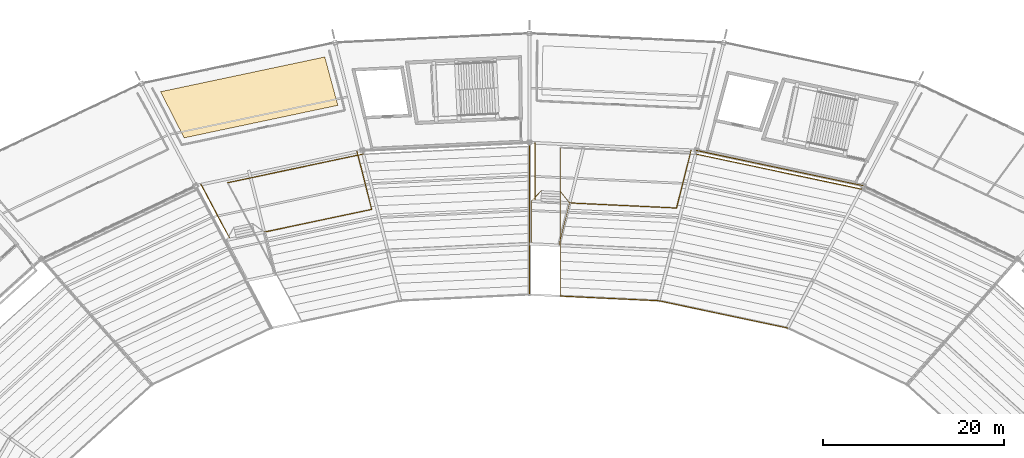
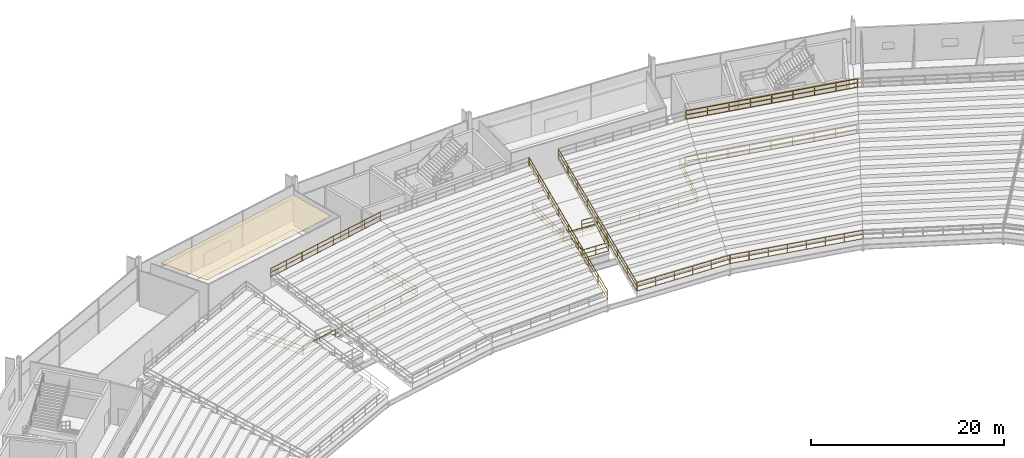
# One storey, part 183 of 186: 10 railings, 1 covering.
"""IFC4 building model written with IfcOpenShell, lengths in metres."""

from ifc_helpers import new_model, si_unit, direction, frame, origin, origin_2d, place, context, subcontext, project, spatial, polyline, rectangle, outline, extrude, material, layer, layer_set, type_object, element, save


model = new_model("IFC4")

# Units and contexts
model_context = context("Model", 3, precision=1e-05, world=origin(), true_north=direction((0.0, 1.0)))
body_context = subcontext(model_context, "Body", "Model", "MODEL_VIEW")
ifc_project = project(units=[si_unit("LENGTHUNIT", "METRE"), si_unit("AREAUNIT", "SQUARE_METRE"), si_unit("VOLUMEUNIT", "CUBIC_METRE"), si_unit("PLANEANGLEUNIT", "RADIAN"), si_unit("MASSUNIT", "GRAM", prefix="KILO")], contexts=[model_context])

# Site, building, storey
site_placement = place(None, origin())
site = spatial("IfcSite", under=ifc_project, at=site_placement, CompositionType="ELEMENT")
building_placement = place(site_placement, origin())
building = spatial("IfcBuilding", under=site, at=building_placement, Name="Kazemori Nagisa Stadium", CompositionType="ELEMENT")
storey_placement = place(building_placement, frame((0.0, 0.0, 20.39990234375)))
storey = spatial("IfcBuildingStorey", under=building, at=storey_placement, Name="L04", CompositionType="ELEMENT", Elevation=20.39990234375)

# Covering
ifc_material_1 = material(Name="Mineral-fibre acoustic board", Category="gypsum")
ifc_layer = layer(ifc_material_1, 0.02001953125, Name="Mineral-fibre acoustic board", Category="gypsum")
ifc_layer_set = layer_set([ifc_layer], Name="Mineral-fibre acoustic board")
covering_type = type_object("IfcCoveringType", Name="Cov_CEIL", PredefinedType="CEILING", material=ifc_layer_set)
covering_placement = place(storey_placement, frame((0.0, 0.0, 4.4501953125)))
element("IfcCovering", 1, at=covering_placement, inside=storey, type_object=covering_type, Name="Acoustic ceiling L04-B09", PredefinedType="CEILING", context=body_context, shape_type="SweptSolid", body=[
    extrude(outline(polyline([(101.864013671875, 180.06591796875), (84.913818359375, 176.47998046875), (82.311279296875, 181.569091796875), (100.419677734375, 185.400146484375), (101.864013671875, 180.06591796875)])), origin(), (0.0, 0.0, 1.0), 0.02001953125),
])

# Railings
ifc_material_2 = material(Name="Laminated safety glass and stainless steel SUS304", Category="steel")
railing_type_1 = type_object("IfcRailingType", Name="Rail_BAL", PredefinedType="BALUSTRADE", material=ifc_material_2)
railing_1_placement = place(storey_placement, frame((159.81201171875, 171.19921875, 0.0)))
element("IfcRailing", 2, at=railing_1_placement, inside=storey, type_object=railing_type_1, Name="Upper concourse balustrade L04-B06", PredefinedType="BALUSTRADE", context=body_context, shape_type="SweptSolid", body=[
    extrude(rectangle(XDim=0.050048828125, YDim=0.050048828125, at=origin_2d()), frame((0.0, 0.0, 1.09521484375), z_axis=(-0.978345149833, 0.206980114499, 0.0), x_axis=(-0.206980114499, -0.978345149833, 0.0)), (0.0, 0.0, 1.0), 18.791259765625),
    extrude(rectangle(XDim=0.03759765625, YDim=0.03759765625, at=origin_2d()), frame((0.0, 0.0, 0.58251953125), z_axis=(-0.978345149833, 0.206980114499, 0.0), x_axis=(-0.206980114499, -0.978345149833, 0.0)), (0.0, 0.0, 1.0), 18.791259765625),
    extrude(rectangle(XDim=0.03759765625, YDim=0.03759765625, at=origin_2d()), frame((0.0, 0.0, 0.02490234375), z_axis=(-0.978345149833, 0.206980114499, 0.0), x_axis=(-0.206980114499, -0.978345149833, 0.0)), (0.0, 0.0, 1.0), 18.791259765625),
    extrude(rectangle(XDim=0.044921875, YDim=0.044921875, at=origin_2d()), origin(), (0.0, 0.0, 1.0), 1.070068359375),
    extrude(rectangle(XDim=0.044921875, YDim=0.044921875, at=origin_2d()), frame((-2.298095703125, 0.486083984375, 0.0)), (0.0, 0.0, 1.0), 1.070068359375),
    extrude(rectangle(XDim=0.044921875, YDim=0.044921875, at=origin_2d()), frame((-4.59619140625, 0.972412109375, 0.0)), (0.0, 0.0, 1.0), 1.070068359375),
    extrude(rectangle(XDim=0.044921875, YDim=0.044921875, at=origin_2d()), frame((-6.89404296875, 1.45849609375, 0.0)), (0.0, 0.0, 1.0), 1.070068359375),
    extrude(rectangle(XDim=0.044921875, YDim=0.044921875, at=origin_2d()), frame((-9.192138671875, 1.94482421875, 0.0)), (0.0, 0.0, 1.0), 1.070068359375),
    extrude(rectangle(XDim=0.044921875, YDim=0.044921875, at=origin_2d()), frame((-11.490234375, 2.430908203125, 0.0)), (0.0, 0.0, 1.0), 1.070068359375),
    extrude(rectangle(XDim=0.044921875, YDim=0.044921875, at=origin_2d()), frame((-13.7880859375, 2.9169921875, 0.0)), (0.0, 0.0, 1.0), 1.070068359375),
    extrude(rectangle(XDim=0.044921875, YDim=0.044921875, at=origin_2d()), frame((-16.086181640625, 3.4033203125, 0.0)), (0.0, 0.0, 1.0), 1.070068359375),
    extrude(rectangle(XDim=0.044921875, YDim=0.044921875, at=origin_2d()), frame((-18.38427734375, 3.889404296875, 0.0)), (0.0, 0.0, 1.0), 1.070068359375),
])
railing_2_placement = place(storey_placement, frame((140.828369140625, 175.116943359375, 0.0)))
element("IfcRailing", 3, at=railing_2_placement, inside=storey, type_object=railing_type_1, Name="Upper vomitory lobby balustrade B07", PredefinedType="BALUSTRADE", context=body_context, shape_type="SweptSolid", body=[
    extrude(rectangle(XDim=0.050048828125, YDim=0.050048828125, at=origin_2d()), frame((0.0, 0.0, 1.09521484375), z_axis=(-0.244457707482, -0.969659955475, 0.0), x_axis=(0.969659955475, -0.244457707482, 0.0)), (0.0, 0.0, 1.0), 6.573486328125),
    extrude(rectangle(XDim=0.03759765625, YDim=0.03759765625, at=origin_2d()), frame((0.0, 0.0, 0.58251953125), z_axis=(-0.244457707482, -0.969659955475, 0.0), x_axis=(0.969659955475, -0.244457707482, 0.0)), (0.0, 0.0, 1.0), 6.573486328125),
    extrude(rectangle(XDim=0.03759765625, YDim=0.03759765625, at=origin_2d()), frame((0.0, 0.0, 0.02490234375), z_axis=(-0.244457707482, -0.969659955475, 0.0), x_axis=(0.969659955475, -0.244457707482, 0.0)), (0.0, 0.0, 1.0), 6.573486328125),
    extrude(rectangle(XDim=0.050048828125, YDim=0.050048828125, at=origin_2d()), frame((-1.60693359375, -6.3740234375, 1.09521484375), z_axis=(-0.998883694415, 0.047237326675, 0.0), x_axis=(-0.047237326675, -0.998883694415, 0.0)), (0.0, 0.0, 1.0), 15.6396484375),
    extrude(rectangle(XDim=0.03759765625, YDim=0.03759765625, at=origin_2d()), frame((-1.60693359375, -6.3740234375, 0.58251953125), z_axis=(-0.998883694415, 0.047237326675, 0.0), x_axis=(-0.047237326675, -0.998883694415, 0.0)), (0.0, 0.0, 1.0), 15.6396484375),
    extrude(rectangle(XDim=0.03759765625, YDim=0.03759765625, at=origin_2d()), frame((-1.60693359375, -6.3740234375, 0.02490234375), z_axis=(-0.998883694415, 0.047237326675, 0.0), x_axis=(-0.047237326675, -0.998883694415, 0.0)), (0.0, 0.0, 1.0), 15.6396484375),
    extrude(rectangle(XDim=0.050048828125, YDim=0.050048828125, at=origin_2d()), frame((-17.22900390625, -5.63525390625, 1.09521484375), z_axis=(0.0, 1.0, 0.0), x_axis=(-1.0, 0.0, 0.0)), (0.0, 0.0, 1.0), 6.449951171875),
    extrude(rectangle(XDim=0.03759765625, YDim=0.03759765625, at=origin_2d()), frame((-17.22900390625, -5.63525390625, 0.58251953125), z_axis=(0.0, 1.0, 0.0), x_axis=(-1.0, 0.0, 0.0)), (0.0, 0.0, 1.0), 6.449951171875),
    extrude(rectangle(XDim=0.03759765625, YDim=0.03759765625, at=origin_2d()), frame((-17.22900390625, -5.63525390625, 0.02490234375), z_axis=(0.0, 1.0, 0.0), x_axis=(-1.0, 0.0, 0.0)), (0.0, 0.0, 1.0), 6.449951171875),
    extrude(rectangle(XDim=0.044921875, YDim=0.044921875, at=origin_2d()), origin(), (0.0, 0.0, 1.0), 1.070068359375),
    extrude(rectangle(XDim=0.044921875, YDim=0.044921875, at=origin_2d()), frame((-0.53564453125, -2.124755859375, 0.0)), (0.0, 0.0, 1.0), 1.070068359375),
    extrude(rectangle(XDim=0.044921875, YDim=0.044921875, at=origin_2d()), frame((-1.0712890625, -4.249267578125, 0.0)), (0.0, 0.0, 1.0), 1.070068359375),
    extrude(rectangle(XDim=0.044921875, YDim=0.044921875, at=origin_2d()), frame((-1.60693359375, -6.3740234375, 0.0)), (0.0, 0.0, 1.0), 1.070068359375),
    extrude(rectangle(XDim=0.044921875, YDim=0.044921875, at=origin_2d()), frame((-3.838623046875, -6.2685546875, 0.0)), (0.0, 0.0, 1.0), 1.070068359375),
    extrude(rectangle(XDim=0.044921875, YDim=0.044921875, at=origin_2d()), frame((-6.0703125, -6.162841796875, 0.0)), (0.0, 0.0, 1.0), 1.070068359375),
    extrude(rectangle(XDim=0.044921875, YDim=0.044921875, at=origin_2d()), frame((-8.302001953125, -6.057373046875, 0.0)), (0.0, 0.0, 1.0), 1.070068359375),
    extrude(rectangle(XDim=0.044921875, YDim=0.044921875, at=origin_2d()), frame((-10.533935546875, -5.951904296875, 0.0)), (0.0, 0.0, 1.0), 1.070068359375),
    extrude(rectangle(XDim=0.044921875, YDim=0.044921875, at=origin_2d()), frame((-12.765625, -5.846435546875, 0.0)), (0.0, 0.0, 1.0), 1.070068359375),
    extrude(rectangle(XDim=0.044921875, YDim=0.044921875, at=origin_2d()), frame((-14.997314453125, -5.74072265625, 0.0)), (0.0, 0.0, 1.0), 1.070068359375),
    extrude(rectangle(XDim=0.044921875, YDim=0.044921875, at=origin_2d()), frame((-17.22900390625, -5.63525390625, 0.0)), (0.0, 0.0, 1.0), 1.070068359375),
    extrude(rectangle(XDim=0.044921875, YDim=0.044921875, at=origin_2d()), frame((-17.22900390625, -3.4853515625, 0.0)), (0.0, 0.0, 1.0), 1.070068359375),
    extrude(rectangle(XDim=0.044921875, YDim=0.044921875, at=origin_2d()), frame((-17.22900390625, -1.335205078125, 0.0)), (0.0, 0.0, 1.0), 1.070068359375),
    extrude(rectangle(XDim=0.044921875, YDim=0.044921875, at=origin_2d()), frame((-17.22900390625, 0.814697265625, 0.0)), (0.0, 0.0, 1.0), 1.070068359375),
])
railing_3_placement = place(storey_placement, frame((103.985107421875, 174.964599609375, 0.0)))
element("IfcRailing", 4, at=railing_3_placement, inside=storey, type_object=railing_type_1, Name="Upper vomitory lobby balustrade B09", PredefinedType="BALUSTRADE", context=body_context, shape_type="SweptSolid", body=[
    extrude(rectangle(XDim=0.050048828125, YDim=0.050048828125, at=origin_2d()), frame((0.0, 0.0, 1.09521484375), z_axis=(0.244492627854, -0.969651151149, 0.0), x_axis=(0.969651151149, 0.244492627854, 0.0)), (0.0, 0.0, 1.0), 6.573486328125),
    extrude(rectangle(XDim=0.03759765625, YDim=0.03759765625, at=origin_2d()), frame((0.0, 0.0, 0.58251953125), z_axis=(0.244492627854, -0.969651151149, 0.0), x_axis=(0.969651151149, 0.244492627854, 0.0)), (0.0, 0.0, 1.0), 6.573486328125),
    extrude(rectangle(XDim=0.03759765625, YDim=0.03759765625, at=origin_2d()), frame((0.0, 0.0, 0.02490234375), z_axis=(0.244492627854, -0.969651151149, 0.0), x_axis=(0.969651151149, 0.244492627854, 0.0)), (0.0, 0.0, 1.0), 6.573486328125),
    extrude(rectangle(XDim=0.050048828125, YDim=0.050048828125, at=origin_2d()), frame((1.607177734375, -6.3740234375, 1.09521484375), z_axis=(-0.978342909106, -0.206990705592, 0.0), x_axis=(0.206990705592, -0.978342909106, 0.0)), (0.0, 0.0, 1.0), 15.952392578125),
    extrude(rectangle(XDim=0.03759765625, YDim=0.03759765625, at=origin_2d()), frame((1.607177734375, -6.3740234375, 0.58251953125), z_axis=(-0.978342909106, -0.206990705592, 0.0), x_axis=(0.206990705592, -0.978342909106, 0.0)), (0.0, 0.0, 1.0), 15.952392578125),
    extrude(rectangle(XDim=0.03759765625, YDim=0.03759765625, at=origin_2d()), frame((1.607177734375, -6.3740234375, 0.02490234375), z_axis=(-0.978342909106, -0.206990705592, 0.0), x_axis=(0.206990705592, -0.978342909106, 0.0)), (0.0, 0.0, 1.0), 15.952392578125),
    extrude(rectangle(XDim=0.050048828125, YDim=0.050048828125, at=origin_2d()), frame((-13.999755859375, -9.676025390625, 1.09521484375), z_axis=(-0.46965739608, 0.882848758456, 0.0), x_axis=(-0.882848758456, -0.46965739608, 0.0)), (0.0, 0.0, 1.0), 6.835693359375),
    extrude(rectangle(XDim=0.03759765625, YDim=0.03759765625, at=origin_2d()), frame((-13.999755859375, -9.676025390625, 0.58251953125), z_axis=(-0.46965739608, 0.882848758456, 0.0), x_axis=(-0.882848758456, -0.46965739608, 0.0)), (0.0, 0.0, 1.0), 6.835693359375),
    extrude(rectangle(XDim=0.03759765625, YDim=0.03759765625, at=origin_2d()), frame((-13.999755859375, -9.676025390625, 0.02490234375), z_axis=(-0.46965739608, 0.882848758456, 0.0), x_axis=(-0.882848758456, -0.46965739608, 0.0)), (0.0, 0.0, 1.0), 6.835693359375),
    extrude(rectangle(XDim=0.044921875, YDim=0.044921875, at=origin_2d()), origin(), (0.0, 0.0, 1.0), 1.070068359375),
    extrude(rectangle(XDim=0.044921875, YDim=0.044921875, at=origin_2d()), frame((0.53564453125, -2.124755859375, 0.0)), (0.0, 0.0, 1.0), 1.070068359375),
    extrude(rectangle(XDim=0.044921875, YDim=0.044921875, at=origin_2d()), frame((1.071533203125, -4.249267578125, 0.0)), (0.0, 0.0, 1.0), 1.070068359375),
    extrude(rectangle(XDim=0.044921875, YDim=0.044921875, at=origin_2d()), frame((1.607177734375, -6.3740234375, 0.0)), (0.0, 0.0, 1.0), 1.070068359375),
    extrude(rectangle(XDim=0.044921875, YDim=0.044921875, at=origin_2d()), frame((-0.622314453125, -6.845703125, 0.0)), (0.0, 0.0, 1.0), 1.070068359375),
    extrude(rectangle(XDim=0.044921875, YDim=0.044921875, at=origin_2d()), frame((-2.85205078125, -7.3173828125, 0.0)), (0.0, 0.0, 1.0), 1.070068359375),
    extrude(rectangle(XDim=0.044921875, YDim=0.044921875, at=origin_2d()), frame((-5.08154296875, -7.7890625, 0.0)), (0.0, 0.0, 1.0), 1.070068359375),
    extrude(rectangle(XDim=0.044921875, YDim=0.044921875, at=origin_2d()), frame((-7.31103515625, -8.260986328125, 0.0)), (0.0, 0.0, 1.0), 1.070068359375),
    extrude(rectangle(XDim=0.044921875, YDim=0.044921875, at=origin_2d()), frame((-9.54052734375, -8.732666015625, 0.0)), (0.0, 0.0, 1.0), 1.070068359375),
    extrude(rectangle(XDim=0.044921875, YDim=0.044921875, at=origin_2d()), frame((-11.770263671875, -9.204345703125, 0.0)), (0.0, 0.0, 1.0), 1.070068359375),
    extrude(rectangle(XDim=0.044921875, YDim=0.044921875, at=origin_2d()), frame((-13.999755859375, -9.676025390625, 0.0)), (0.0, 0.0, 1.0), 1.070068359375),
    extrude(rectangle(XDim=0.044921875, YDim=0.044921875, at=origin_2d()), frame((-15.06982421875, -7.664306640625, 0.0)), (0.0, 0.0, 1.0), 1.070068359375),
    extrude(rectangle(XDim=0.044921875, YDim=0.044921875, at=origin_2d()), frame((-16.14013671875, -5.65283203125, 0.0)), (0.0, 0.0, 1.0), 1.070068359375),
    extrude(rectangle(XDim=0.044921875, YDim=0.044921875, at=origin_2d()), frame((-17.210205078125, -3.64111328125, 0.0)), (0.0, 0.0, 1.0), 1.070068359375),
])
ifc_material_3 = material(Name="Galvanised powder-coated steel", Category="steel")
railing_type_2 = type_object("IfcRailingType", Name="Rail_GUARD", PredefinedType="GUARDRAIL", material=ifc_material_3)
railing_4_placement = place(storey_placement, frame((126.418212890625, 170.559814453125, 0.0)))
element("IfcRailing", 5, at=railing_4_placement, inside=storey, type_object=railing_type_2, Name="Vomitory upper portal guard VU03", PredefinedType="GUARDRAIL", context=body_context, shape_type="SweptSolid", body=[
    extrude(rectangle(XDim=0.050048828125, YDim=0.050048828125, at=origin_2d()), frame((0.0, 0.0, 1.09521484375), z_axis=(0.548080365037, -0.685532486659, 0.479221371806), x_axis=(0.781060863621, 0.624454904152, 0.0)), (0.0, 0.0, 1.0), 1.836669921875),
    extrude(rectangle(XDim=0.03759765625, YDim=0.03759765625, at=origin_2d()), frame((0.0, 0.0, 0.58251953125), z_axis=(0.548080365037, -0.685532486659, 0.479221371806), x_axis=(0.781060863621, 0.624454904152, 0.0)), (0.0, 0.0, 1.0), 1.836669921875),
    extrude(rectangle(XDim=0.03759765625, YDim=0.03759765625, at=origin_2d()), frame((0.0, 0.0, 0.02490234375), z_axis=(0.548080365037, -0.685532486659, 0.479221371806), x_axis=(0.781060863621, 0.624454904152, 0.0)), (0.0, 0.0, 1.0), 1.836669921875),
    extrude(rectangle(XDim=0.050048828125, YDim=0.050048828125, at=origin_2d()), frame((1.006591796875, -1.259033203125, 1.97509765625), z_axis=(-0.244465630583, -0.969657957975, 0.0), x_axis=(0.969657957975, -0.244465630583, 0.0)), (0.0, 0.0, 1.0), 4.820556640625),
    extrude(rectangle(XDim=0.03759765625, YDim=0.03759765625, at=origin_2d()), frame((1.006591796875, -1.259033203125, 1.462646484375), z_axis=(-0.244465630583, -0.969657957975, 0.0), x_axis=(0.969657957975, -0.244465630583, 0.0)), (0.0, 0.0, 1.0), 4.820556640625),
    extrude(rectangle(XDim=0.03759765625, YDim=0.03759765625, at=origin_2d()), frame((1.006591796875, -1.259033203125, 0.9052734375), z_axis=(-0.244465630583, -0.969657957975, 0.0), x_axis=(0.969657957975, -0.244465630583, 0.0)), (0.0, 0.0, 1.0), 4.820556640625),
    extrude(rectangle(XDim=0.050048828125, YDim=0.050048828125, at=origin_2d()), frame((-0.171875, -5.933349609375, 1.97509765625), z_axis=(-0.998884198079, 0.047226674963, 0.0), x_axis=(-0.047226674963, -0.998884198079, 0.0)), (0.0, 0.0, 1.0), 3.050048828125),
    extrude(rectangle(XDim=0.03759765625, YDim=0.03759765625, at=origin_2d()), frame((-0.171875, -5.933349609375, 1.462646484375), z_axis=(-0.998884198079, 0.047226674963, 0.0), x_axis=(-0.047226674963, -0.998884198079, 0.0)), (0.0, 0.0, 1.0), 3.050048828125),
    extrude(rectangle(XDim=0.03759765625, YDim=0.03759765625, at=origin_2d()), frame((-0.171875, -5.933349609375, 0.9052734375), z_axis=(-0.998884198079, 0.047226674963, 0.0), x_axis=(-0.047226674963, -0.998884198079, 0.0)), (0.0, 0.0, 1.0), 3.050048828125),
    extrude(rectangle(XDim=0.050048828125, YDim=0.050048828125, at=origin_2d()), frame((-3.218505859375, -5.789306640625, 1.97509765625), z_axis=(0.0, 1.0, 0.0), x_axis=(-1.0, 0.0, 0.0)), (0.0, 0.0, 1.0), 4.72998046875),
    extrude(rectangle(XDim=0.03759765625, YDim=0.03759765625, at=origin_2d()), frame((-3.218505859375, -5.789306640625, 1.462646484375), z_axis=(0.0, 1.0, 0.0), x_axis=(-1.0, 0.0, 0.0)), (0.0, 0.0, 1.0), 4.72998046875),
    extrude(rectangle(XDim=0.03759765625, YDim=0.03759765625, at=origin_2d()), frame((-3.218505859375, -5.789306640625, 0.9052734375), z_axis=(0.0, 1.0, 0.0), x_axis=(-1.0, 0.0, 0.0)), (0.0, 0.0, 1.0), 4.72998046875),
    extrude(rectangle(XDim=0.050048828125, YDim=0.050048828125, at=origin_2d()), frame((-3.218505859375, -1.059326171875, 1.97509765625), z_axis=(0.610300674846, 0.630772533684, -0.479227604622), x_axis=(-0.718672943699, 0.695348258066, 0.0)), (0.0, 0.0, 1.0), 1.836669921875),
    extrude(rectangle(XDim=0.03759765625, YDim=0.03759765625, at=origin_2d()), frame((-3.218505859375, -1.059326171875, 1.462646484375), z_axis=(0.610300674846, 0.630772533684, -0.479227604622), x_axis=(-0.718672943699, 0.695348258066, 0.0)), (0.0, 0.0, 1.0), 1.836669921875),
    extrude(rectangle(XDim=0.03759765625, YDim=0.03759765625, at=origin_2d()), frame((-3.218505859375, -1.059326171875, 0.9052734375), z_axis=(0.610300674846, 0.630772533684, -0.479227604622), x_axis=(-0.718672943699, 0.695348258066, 0.0)), (0.0, 0.0, 1.0), 1.836669921875),
    extrude(rectangle(XDim=0.044921875, YDim=0.044921875, at=origin_2d()), origin(), (0.0, 0.0, 1.0), 1.070068359375),
    extrude(rectangle(XDim=0.044921875, YDim=0.044921875, at=origin_2d()), frame((1.006591796875, -1.259033203125, 0.880126953125)), (0.0, 0.0, 1.0), 1.070068359375),
    extrude(rectangle(XDim=0.044921875, YDim=0.044921875, at=origin_2d()), frame((0.61376953125, -2.817138671875, 0.880126953125)), (0.0, 0.0, 1.0), 1.070068359375),
    extrude(rectangle(XDim=0.044921875, YDim=0.044921875, at=origin_2d()), frame((0.220947265625, -4.375244140625, 0.880126953125)), (0.0, 0.0, 1.0), 1.070068359375),
    extrude(rectangle(XDim=0.044921875, YDim=0.044921875, at=origin_2d()), frame((-0.171875, -5.933349609375, 0.880126953125)), (0.0, 0.0, 1.0), 1.070068359375),
    extrude(rectangle(XDim=0.044921875, YDim=0.044921875, at=origin_2d()), frame((-1.6953125, -5.861328125, 0.880126953125)), (0.0, 0.0, 1.0), 1.070068359375),
    extrude(rectangle(XDim=0.044921875, YDim=0.044921875, at=origin_2d()), frame((-3.218505859375, -5.789306640625, 0.880126953125)), (0.0, 0.0, 1.0), 1.070068359375),
    extrude(rectangle(XDim=0.044921875, YDim=0.044921875, at=origin_2d()), frame((-3.218505859375, -3.42431640625, 0.880126953125)), (0.0, 0.0, 1.0), 1.070068359375),
    extrude(rectangle(XDim=0.044921875, YDim=0.044921875, at=origin_2d()), frame((-3.218505859375, -1.059326171875, 0.880126953125)), (0.0, 0.0, 1.0), 1.070068359375),
    extrude(rectangle(XDim=0.044921875, YDim=0.044921875, at=origin_2d()), frame((-2.09765625, 0.09912109375, 0.0)), (0.0, 0.0, 1.0), 1.070068359375),
])
railing_5_placement = place(storey_placement, frame((151.465087890625, 155.5087890625, -0.8798828125)))
element("IfcRailing", 6, at=railing_5_placement, inside=storey, type_object=railing_type_2, Name="Upper tier front crowd barrier B06", PredefinedType="GUARDRAIL", context=body_context, shape_type="SweptSolid", body=[
    extrude(rectangle(XDim=0.050048828125, YDim=0.050048828125, at=origin_2d()), frame((0.0, 0.0, 1.09521484375), z_axis=(-0.978343749073, 0.206986735446, 0.0), x_axis=(-0.206986735446, -0.978343749073, 0.0)), (0.0, 0.0, 1.0), 14.5302734375),
    extrude(rectangle(XDim=0.03759765625, YDim=0.03759765625, at=origin_2d()), frame((0.0, 0.0, 0.58251953125), z_axis=(-0.978343749073, 0.206986735446, 0.0), x_axis=(-0.206986735446, -0.978343749073, 0.0)), (0.0, 0.0, 1.0), 14.5302734375),
    extrude(rectangle(XDim=0.03759765625, YDim=0.03759765625, at=origin_2d()), frame((0.0, 0.0, 0.02490234375), z_axis=(-0.978343749073, 0.206986735446, 0.0), x_axis=(-0.206986735446, -0.978343749073, 0.0)), (0.0, 0.0, 1.0), 14.5302734375),
    extrude(rectangle(XDim=0.044921875, YDim=0.044921875, at=origin_2d()), origin(), (0.0, 0.0, 1.0), 1.070068359375),
    extrude(rectangle(XDim=0.044921875, YDim=0.044921875, at=origin_2d()), frame((-2.03076171875, 0.4296875, 0.0)), (0.0, 0.0, 1.0), 1.070068359375),
    extrude(rectangle(XDim=0.044921875, YDim=0.044921875, at=origin_2d()), frame((-4.0615234375, 0.859375, 0.0)), (0.0, 0.0, 1.0), 1.070068359375),
    extrude(rectangle(XDim=0.044921875, YDim=0.044921875, at=origin_2d()), frame((-6.09228515625, 1.2890625, 0.0)), (0.0, 0.0, 1.0), 1.070068359375),
    extrude(rectangle(XDim=0.044921875, YDim=0.044921875, at=origin_2d()), frame((-8.123291015625, 1.718505859375, 0.0)), (0.0, 0.0, 1.0), 1.070068359375),
    extrude(rectangle(XDim=0.044921875, YDim=0.044921875, at=origin_2d()), frame((-10.154052734375, 2.148193359375, 0.0)), (0.0, 0.0, 1.0), 1.070068359375),
    extrude(rectangle(XDim=0.044921875, YDim=0.044921875, at=origin_2d()), frame((-12.184814453125, 2.577880859375, 0.0)), (0.0, 0.0, 1.0), 1.070068359375),
    extrude(rectangle(XDim=0.044921875, YDim=0.044921875, at=origin_2d()), frame((-14.215576171875, 3.007568359375, 0.0)), (0.0, 0.0, 1.0), 1.070068359375),
])
railing_6_placement = place(storey_placement, frame((159.615234375, 170.8291015625, 6.16015625)))
element("IfcRailing", 7, at=railing_6_placement, inside=storey, type_object=railing_type_2, Name="Upper tier rear guard B06", PredefinedType="GUARDRAIL", context=body_context, shape_type="SweptSolid", body=[
    extrude(rectangle(XDim=0.050048828125, YDim=0.050048828125, at=origin_2d()), frame((0.0, 0.0, 1.09521484375), z_axis=(-0.978344464061, 0.206983355953, 0.0), x_axis=(-0.206983355953, -0.978344464061, 0.0)), (0.0, 0.0, 1.0), 18.690673828125),
    extrude(rectangle(XDim=0.03759765625, YDim=0.03759765625, at=origin_2d()), frame((0.0, 0.0, 0.58251953125), z_axis=(-0.978344464061, 0.206983355953, 0.0), x_axis=(-0.206983355953, -0.978344464061, 0.0)), (0.0, 0.0, 1.0), 18.690673828125),
    extrude(rectangle(XDim=0.03759765625, YDim=0.03759765625, at=origin_2d()), frame((0.0, 0.0, 0.02490234375), z_axis=(-0.978344464061, 0.206983355953, 0.0), x_axis=(-0.206983355953, -0.978344464061, 0.0)), (0.0, 0.0, 1.0), 18.690673828125),
    extrude(rectangle(XDim=0.044921875, YDim=0.044921875, at=origin_2d()), origin(), (0.0, 0.0, 1.0), 1.070068359375),
    extrude(rectangle(XDim=0.044921875, YDim=0.044921875, at=origin_2d()), frame((-2.28564453125, 0.483642578125, 0.0)), (0.0, 0.0, 1.0), 1.070068359375),
    extrude(rectangle(XDim=0.044921875, YDim=0.044921875, at=origin_2d()), frame((-4.571533203125, 0.96728515625, 0.0)), (0.0, 0.0, 1.0), 1.070068359375),
    extrude(rectangle(XDim=0.044921875, YDim=0.044921875, at=origin_2d()), frame((-6.857177734375, 1.45068359375, 0.0)), (0.0, 0.0, 1.0), 1.070068359375),
    extrude(rectangle(XDim=0.044921875, YDim=0.044921875, at=origin_2d()), frame((-9.14306640625, 1.934326171875, 0.0)), (0.0, 0.0, 1.0), 1.070068359375),
    extrude(rectangle(XDim=0.044921875, YDim=0.044921875, at=origin_2d()), frame((-11.4287109375, 2.41796875, 0.0)), (0.0, 0.0, 1.0), 1.070068359375),
    extrude(rectangle(XDim=0.044921875, YDim=0.044921875, at=origin_2d()), frame((-13.71435546875, 2.9013671875, 0.0)), (0.0, 0.0, 1.0), 1.070068359375),
    extrude(rectangle(XDim=0.044921875, YDim=0.044921875, at=origin_2d()), frame((-16.000244140625, 3.385009765625, 0.0)), (0.0, 0.0, 1.0), 1.070068359375),
    extrude(rectangle(XDim=0.044921875, YDim=0.044921875, at=origin_2d()), frame((-18.285888671875, 3.86865234375, 0.0)), (0.0, 0.0, 1.0), 1.070068359375),
])
railing_7_placement = place(storey_placement, frame((137.24951171875, 158.516357421875, -0.8798828125)))
element("IfcRailing", 8, at=railing_7_placement, inside=storey, type_object=railing_type_2, Name="Upper tier front crowd barrier B07", PredefinedType="GUARDRAIL", context=body_context, shape_type="SweptSolid", body=[
    extrude(rectangle(XDim=0.050048828125, YDim=0.050048828125, at=origin_2d()), frame((0.0, 0.0, 1.09521484375), z_axis=(-0.998885053356, 0.047208581647, 0.0), x_axis=(-0.047208581647, -0.998885053356, 0.0)), (0.0, 0.0, 1.0), 10.865478515625),
    extrude(rectangle(XDim=0.03759765625, YDim=0.03759765625, at=origin_2d()), frame((0.0, 0.0, 0.58251953125), z_axis=(-0.998885053356, 0.047208581647, 0.0), x_axis=(-0.047208581647, -0.998885053356, 0.0)), (0.0, 0.0, 1.0), 10.865478515625),
    extrude(rectangle(XDim=0.03759765625, YDim=0.03759765625, at=origin_2d()), frame((0.0, 0.0, 0.02490234375), z_axis=(-0.998885053356, 0.047208581647, 0.0), x_axis=(-0.047208581647, -0.998885053356, 0.0)), (0.0, 0.0, 1.0), 10.865478515625),
    extrude(rectangle(XDim=0.044921875, YDim=0.044921875, at=origin_2d()), origin(), (0.0, 0.0, 1.0), 1.070068359375),
    extrude(rectangle(XDim=0.044921875, YDim=0.044921875, at=origin_2d()), frame((-2.170654296875, 0.1025390625, 0.0)), (0.0, 0.0, 1.0), 1.070068359375),
    extrude(rectangle(XDim=0.044921875, YDim=0.044921875, at=origin_2d()), frame((-4.34130859375, 0.205078125, 0.0)), (0.0, 0.0, 1.0), 1.070068359375),
    extrude(rectangle(XDim=0.044921875, YDim=0.044921875, at=origin_2d()), frame((-6.511962890625, 0.307861328125, 0.0)), (0.0, 0.0, 1.0), 1.070068359375),
    extrude(rectangle(XDim=0.044921875, YDim=0.044921875, at=origin_2d()), frame((-8.6826171875, 0.410400390625, 0.0)), (0.0, 0.0, 1.0), 1.070068359375),
    extrude(rectangle(XDim=0.044921875, YDim=0.044921875, at=origin_2d()), frame((-10.853271484375, 0.512939453125, 0.0)), (0.0, 0.0, 1.0), 1.070068359375),
])
railing_8_placement = place(storey_placement, frame((126.396240234375, 159.029296875, -0.8798828125)))
element("IfcRailing", 9, at=railing_8_placement, inside=storey, type_object=railing_type_2, Name="Upper tier radial step guard B07R", PredefinedType="GUARDRAIL", context=body_context, shape_type="SweptSolid", body=[
    extrude(rectangle(XDim=0.050048828125, YDim=0.050048828125, at=origin_2d()), frame((0.0, 0.0, 1.09521484375), z_axis=(0.0, 0.918689566682, 0.394980354031), x_axis=(-1.0, 0.0, 0.0)), (0.0, 0.0, 1.0), 17.82373046875),
    extrude(rectangle(XDim=0.03759765625, YDim=0.03759765625, at=origin_2d()), frame((0.0, 0.0, 0.58251953125), z_axis=(0.0, 0.918689566682, 0.394980354031), x_axis=(-1.0, 0.0, 0.0)), (0.0, 0.0, 1.0), 17.82373046875),
    extrude(rectangle(XDim=0.03759765625, YDim=0.03759765625, at=origin_2d()), frame((0.0, 0.0, 0.02490234375), z_axis=(0.0, 0.918689566682, 0.394980354031), x_axis=(-1.0, 0.0, 0.0)), (0.0, 0.0, 1.0), 17.82373046875),
    extrude(rectangle(XDim=0.044921875, YDim=0.044921875, at=origin_2d()), origin(), (0.0, 0.0, 1.0), 1.070068359375),
    extrude(rectangle(XDim=0.044921875, YDim=0.044921875, at=origin_2d()), frame((0.0, 2.046875, 0.8798828125)), (0.0, 0.0, 1.0), 1.070068359375),
    extrude(rectangle(XDim=0.044921875, YDim=0.044921875, at=origin_2d()), frame((0.0, 4.09375, 1.760009765625)), (0.0, 0.0, 1.0), 1.070068359375),
    extrude(rectangle(XDim=0.044921875, YDim=0.044921875, at=origin_2d()), frame((0.0, 6.140380859375, 2.64013671875)), (0.0, 0.0, 1.0), 1.070068359375),
    extrude(rectangle(XDim=0.044921875, YDim=0.044921875, at=origin_2d()), frame((0.0, 8.187255859375, 3.52001953125)), (0.0, 0.0, 1.0), 1.070068359375),
    extrude(rectangle(XDim=0.044921875, YDim=0.044921875, at=origin_2d()), frame((0.0, 10.234130859375, 4.39990234375)), (0.0, 0.0, 1.0), 1.070068359375),
    extrude(rectangle(XDim=0.044921875, YDim=0.044921875, at=origin_2d()), frame((0.0, 12.28076171875, 5.280029296875)), (0.0, 0.0, 1.0), 1.070068359375),
    extrude(rectangle(XDim=0.044921875, YDim=0.044921875, at=origin_2d()), frame((0.0, 14.32763671875, 6.16015625)), (0.0, 0.0, 1.0), 1.070068359375),
    extrude(rectangle(XDim=0.044921875, YDim=0.044921875, at=origin_2d()), frame((0.0, 16.37451171875, 7.0400390625)), (0.0, 0.0, 1.0), 1.070068359375),
])
railing_9_placement = place(storey_placement, frame((123.0, 159.18994140625, -0.8798828125)))
element("IfcRailing", 10, at=railing_9_placement, inside=storey, type_object=railing_type_2, Name="Upper tier radial step guard B08L", PredefinedType="GUARDRAIL", context=body_context, shape_type="SweptSolid", body=[
    extrude(rectangle(XDim=0.050048828125, YDim=0.050048828125, at=origin_2d()), frame((0.0, 0.0, 1.09521484375), z_axis=(0.0, 0.918689566682, 0.394980354031), x_axis=(-1.0, 0.0, 0.0)), (0.0, 0.0, 1.0), 17.82373046875),
    extrude(rectangle(XDim=0.03759765625, YDim=0.03759765625, at=origin_2d()), frame((0.0, 0.0, 0.58251953125), z_axis=(0.0, 0.918689566682, 0.394980354031), x_axis=(-1.0, 0.0, 0.0)), (0.0, 0.0, 1.0), 17.82373046875),
    extrude(rectangle(XDim=0.03759765625, YDim=0.03759765625, at=origin_2d()), frame((0.0, 0.0, 0.02490234375), z_axis=(0.0, 0.918689566682, 0.394980354031), x_axis=(-1.0, 0.0, 0.0)), (0.0, 0.0, 1.0), 17.82373046875),
    extrude(rectangle(XDim=0.044921875, YDim=0.044921875, at=origin_2d()), origin(), (0.0, 0.0, 1.0), 1.070068359375),
    extrude(rectangle(XDim=0.044921875, YDim=0.044921875, at=origin_2d()), frame((0.0, 2.046875, 0.8798828125)), (0.0, 0.0, 1.0), 1.070068359375),
    extrude(rectangle(XDim=0.044921875, YDim=0.044921875, at=origin_2d()), frame((0.0, 4.09375, 1.760009765625)), (0.0, 0.0, 1.0), 1.070068359375),
    extrude(rectangle(XDim=0.044921875, YDim=0.044921875, at=origin_2d()), frame((0.0, 6.140380859375, 2.64013671875)), (0.0, 0.0, 1.0), 1.070068359375),
    extrude(rectangle(XDim=0.044921875, YDim=0.044921875, at=origin_2d()), frame((0.0, 8.187255859375, 3.52001953125)), (0.0, 0.0, 1.0), 1.070068359375),
    extrude(rectangle(XDim=0.044921875, YDim=0.044921875, at=origin_2d()), frame((0.0, 10.234130859375, 4.39990234375)), (0.0, 0.0, 1.0), 1.070068359375),
    extrude(rectangle(XDim=0.044921875, YDim=0.044921875, at=origin_2d()), frame((0.0, 12.28076171875, 5.280029296875)), (0.0, 0.0, 1.0), 1.070068359375),
    extrude(rectangle(XDim=0.044921875, YDim=0.044921875, at=origin_2d()), frame((0.0, 14.32763671875, 6.16015625)), (0.0, 0.0, 1.0), 1.070068359375),
    extrude(rectangle(XDim=0.044921875, YDim=0.044921875, at=origin_2d()), frame((0.0, 16.37451171875, 7.0400390625)), (0.0, 0.0, 1.0), 1.070068359375),
])
railing_10_placement = place(storey_placement, frame((104.670654296875, 174.69775390625, 6.16015625)))
element("IfcRailing", 11, at=railing_10_placement, inside=storey, type_object=railing_type_2, Name="Upper tier rear guard B09", PredefinedType="GUARDRAIL", context=body_context, shape_type="SweptSolid", body=[
    extrude(rectangle(XDim=0.050048828125, YDim=0.050048828125, at=origin_2d()), frame((0.0, 0.0, 1.09521484375), z_axis=(-0.978345848325, -0.206976812871, 0.0), x_axis=(0.206976812871, -0.978345848325, 0.0)), (0.0, 0.0, 1.0), 15.29052734375),
    extrude(rectangle(XDim=0.03759765625, YDim=0.03759765625, at=origin_2d()), frame((0.0, 0.0, 0.58251953125), z_axis=(-0.978345848325, -0.206976812871, 0.0), x_axis=(0.206976812871, -0.978345848325, 0.0)), (0.0, 0.0, 1.0), 15.29052734375),
    extrude(rectangle(XDim=0.03759765625, YDim=0.03759765625, at=origin_2d()), frame((0.0, 0.0, 0.02490234375), z_axis=(-0.978345848325, -0.206976812871, 0.0), x_axis=(0.206976812871, -0.978345848325, 0.0)), (0.0, 0.0, 1.0), 15.29052734375),
    extrude(rectangle(XDim=0.044921875, YDim=0.044921875, at=origin_2d()), origin(), (0.0, 0.0, 1.0), 1.070068359375),
    extrude(rectangle(XDim=0.044921875, YDim=0.044921875, at=origin_2d()), frame((-2.136962890625, -0.4521484375, 0.0)), (0.0, 0.0, 1.0), 1.070068359375),
    extrude(rectangle(XDim=0.044921875, YDim=0.044921875, at=origin_2d()), frame((-4.274169921875, -0.904296875, 0.0)), (0.0, 0.0, 1.0), 1.070068359375),
    extrude(rectangle(XDim=0.044921875, YDim=0.044921875, at=origin_2d()), frame((-6.4111328125, -1.3564453125, 0.0)), (0.0, 0.0, 1.0), 1.070068359375),
    extrude(rectangle(XDim=0.044921875, YDim=0.044921875, at=origin_2d()), frame((-8.54833984375, -1.808349609375, 0.0)), (0.0, 0.0, 1.0), 1.070068359375),
    extrude(rectangle(XDim=0.044921875, YDim=0.044921875, at=origin_2d()), frame((-10.685302734375, -2.260498046875, 0.0)), (0.0, 0.0, 1.0), 1.070068359375),
    extrude(rectangle(XDim=0.044921875, YDim=0.044921875, at=origin_2d()), frame((-12.822509765625, -2.712646484375, 0.0)), (0.0, 0.0, 1.0), 1.070068359375),
    extrude(rectangle(XDim=0.044921875, YDim=0.044921875, at=origin_2d()), frame((-14.95947265625, -3.164794921875, 0.0)), (0.0, 0.0, 1.0), 1.070068359375),
])

save(model, "model.ifc")
